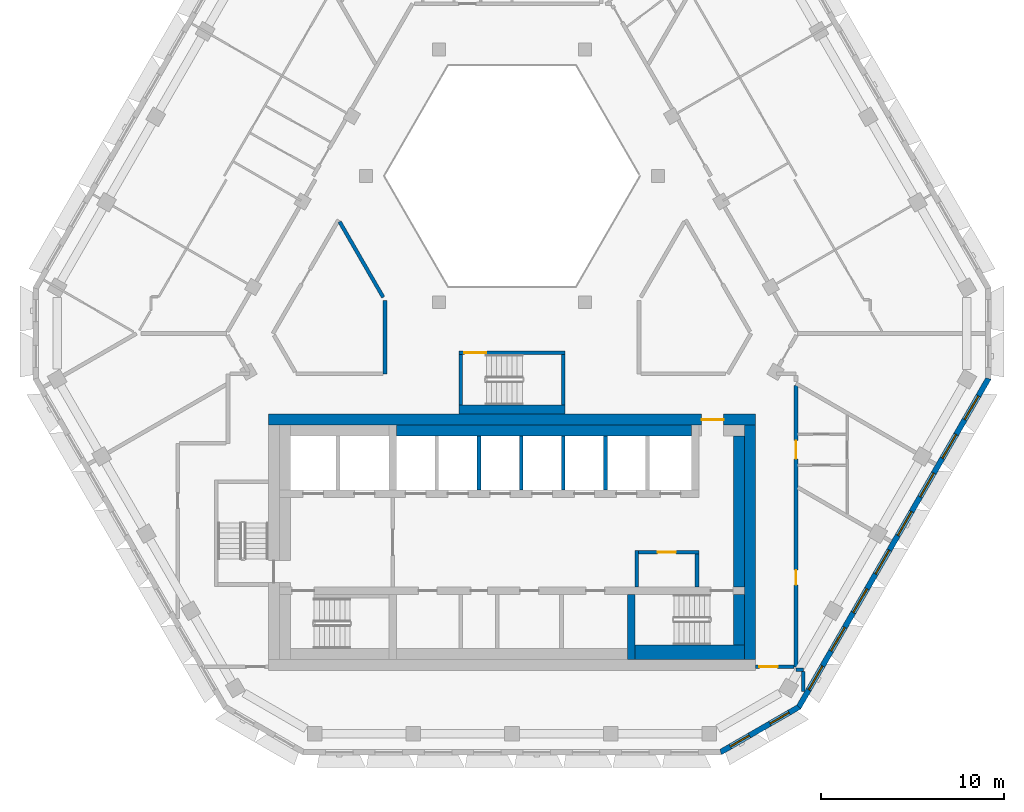
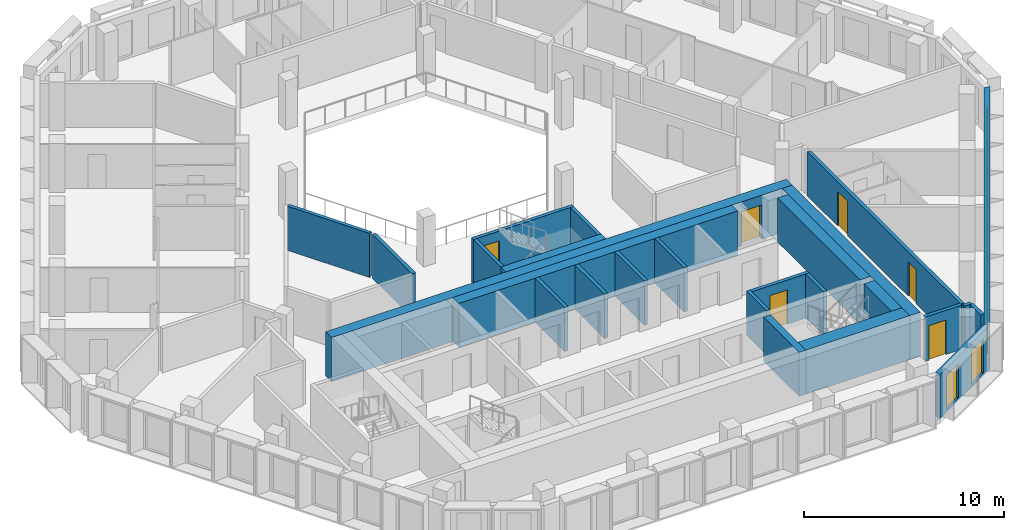
# One storey, part 5 of 17: 26 walls, 10 windows, 6 doors, 16 openings.
"""IFC4 building model written with IfcOpenShell, lengths in metres."""

import ifcopenshell
import ifcopenshell.guid

model = None  # the IFC model being written
_history = None  # IfcOwnerHistory: only IFC2X3 demands one
_inside = {}  # id of a spatial element -> (the spatial element, [elements in it])
_under = {}  # id of a project, library or spatial element -> (it, [spatial elements below it])
_declared = {}  # id of a project -> (the project, [libraries it declares])
_typed = {}  # id of a type object -> (the type object, [elements of that type])
_made_of = {}  # id of a material, layer set ... -> (it, [elements and type objects made of it])


def new_model(schema):
    """Start an empty IFC model of exactly this schema.

    Asked for "IFC4X3", IfcOpenShell would pick the latest addendum, in which some entities
    have other attributes; the version numbers below select the first issue.
    IFC2X3 requires an IfcOwnerHistory on every rooted entity: one is made here for all.
    """
    global model, _history
    if schema == "IFC4X3":
        model = ifcopenshell.file(schema_version=(4, 3, 0, 0))
    else:
        model = ifcopenshell.file(schema=schema)
    _inside.clear()
    _under.clear()
    _declared.clear()
    _typed.clear()
    _made_of.clear()
    _history = None
    if model.schema == "IFC2X3":
        org = make("IfcOrganization", Name="unknown")
        user = make(
            "IfcPersonAndOrganization",
            ThePerson=make("IfcPerson", FamilyName="unknown"),
            TheOrganization=org,
        )
        app = make(
            "IfcApplication",
            ApplicationDeveloper=org,
            Version="unknown",
            ApplicationFullName="unknown",
            ApplicationIdentifier="unknown",
        )
        _history = make(
            "IfcOwnerHistory",
            OwningUser=user,
            OwningApplication=app,
            ChangeAction="ADDED",
            CreationDate=0,
        )
    return model


def make(cls, **values):
    """One entity of the class cls with the attributes given. An attribute that is None is left unset."""
    return model.create_entity(
        cls, **{name: value for name, value in values.items() if value is not None}
    )


def rooted(cls, **values):
    """An entity with a GlobalId (a new one), such as an element, a storey or a relation."""
    return make(cls, GlobalId=ifcopenshell.guid.new(), OwnerHistory=_history, **values)


def si_unit(unit_type, name, prefix=None):
    """IfcSIUnit, for example si_unit("LENGTHUNIT", "METRE", prefix="MILLI")."""
    return make("IfcSIUnit", UnitType=unit_type, Prefix=prefix, Name=name)


def assignment(units):
    """IfcUnitAssignment: the units of a project."""
    return None if units is None else make("IfcUnitAssignment", Units=units)


def point(xyz):
    """IfcCartesianPoint."""
    return None if xyz is None else make("IfcCartesianPoint", Coordinates=xyz)


def direction(xyz):
    """IfcDirection."""
    return None if xyz is None else make("IfcDirection", DirectionRatios=xyz)


def frame(location, z_axis=None, x_axis=None):
    """IfcAxis2Placement3D, a coordinate frame: its origin and axes. An axis left out is left unset."""
    return make(
        "IfcAxis2Placement3D",
        Location=point(location),
        Axis=direction(z_axis),
        RefDirection=direction(x_axis),
    )


def frame_2d(location, x_axis=None):
    """IfcAxis2Placement2D, a coordinate frame in the plane: its origin and x axis."""
    return make(
        "IfcAxis2Placement2D", Location=point(location), RefDirection=direction(x_axis)
    )


def origin():
    """The frame at (0, 0, 0) with its axes left unset."""
    return frame((0.0, 0.0, 0.0))


def place(relative_to, where):
    """IfcLocalPlacement: puts the frame where relative to a parent placement (None: the world)."""
    return make(
        "IfcLocalPlacement", PlacementRelTo=relative_to, RelativePlacement=where
    )


def context(
    kind, dimensions, precision=None, world=None, true_north=None, identifier=None
):
    """IfcGeometricRepresentationContext, for example the 3D "Model" context."""
    return make(
        "IfcGeometricRepresentationContext",
        ContextIdentifier=identifier,
        ContextType=kind,
        CoordinateSpaceDimension=dimensions,
        Precision=precision,
        WorldCoordinateSystem=world,
        TrueNorth=true_north,
    )


def subcontext(parent, identifier, kind, view, scale=None):
    """IfcGeometricRepresentationSubContext, for example "Body" below "Model"."""
    return make(
        "IfcGeometricRepresentationSubContext",
        ContextIdentifier=identifier,
        ContextType=kind,
        ParentContext=parent,
        TargetScale=scale,
        TargetView=view,
    )


def project(units=None, contexts=None):
    """IfcProject with its units and contexts."""
    return rooted(
        "IfcProject",
        Name="project",
        RepresentationContexts=contexts,
        UnitsInContext=assignment(units),
    )


def spatial(cls, under=None, at=None, **own):
    """A site, building, storey or space (cls), placed at a placement, below another one or the project."""
    s = rooted(cls, ObjectPlacement=at, **own)
    if under is not None:
        _under.setdefault(under.id(), (under, []))[1].append(s)
    return s


def polyline(points):
    """IfcPolyline through the points."""
    return make("IfcPolyline", Points=[point(p) for p in points])


def profile(cls, at=None, kind="AREA", **sizes):
    """A parametric profile (cls). Its sizes go by their IFC names, for example OverallWidth=200.0."""
    return make(cls, ProfileType=kind, Position=at, **sizes)


def rectangle(**sizes):
    """IfcRectangleProfileDef."""
    return profile("IfcRectangleProfileDef", **sizes)


def outline(outer, holes=None, kind="AREA"):
    """IfcArbitraryClosedProfileDef: a profile drawn as a closed curve; with holes, ...WithVoids."""
    if holes is None:
        return make("IfcArbitraryClosedProfileDef", ProfileType=kind, OuterCurve=outer)
    return make(
        "IfcArbitraryProfileDefWithVoids",
        ProfileType=kind,
        OuterCurve=outer,
        InnerCurves=holes,
    )


def extrude(swept, where, along, depth):
    """IfcExtrudedAreaSolid: the profile swept, set in the frame where, extruded along a direction by depth."""
    return make(
        "IfcExtrudedAreaSolid",
        SweptArea=swept,
        Position=where,
        ExtrudedDirection=direction(along),
        Depth=depth,
    )


def shape(context_of_items, identifier, shape_type, items):
    """IfcShapeRepresentation: the items that make up one representation, for example the "Body"."""
    return make(
        "IfcShapeRepresentation",
        ContextOfItems=context_of_items,
        RepresentationIdentifier=identifier,
        RepresentationType=shape_type,
        Items=items,
    )


def material(Name=None, Category=None):
    """IfcMaterial."""
    return make("IfcMaterial", Name=Name, Category=Category)


def layer(
    of_material, thickness, ventilated=None, Name=None, Category=None, Priority=None
):
    """IfcMaterialLayer: one layer of a wall or slab, of a material (None: an air gap)."""
    return make(
        "IfcMaterialLayer",
        Material=of_material,
        LayerThickness=thickness,
        IsVentilated=ventilated,
        Name=Name,
        Category=Category,
        Priority=Priority,
    )


def layer_set(layers, Name=None):
    """IfcMaterialLayerSet."""
    return make("IfcMaterialLayerSet", MaterialLayers=layers, LayerSetName=Name)


def made_of(thing, what):
    """Note that an element or type object is made of a material, layer set ...; save() writes the relation."""
    if what is not None:
        _made_of.setdefault(what.id(), (what, []))[1].append(thing)
    return thing


def type_object(cls, material=None, **own):
    """A type object (cls), such as IfcWallType, which elements share."""
    return made_of(rooted(cls, **own), material)


def element(
    cls,
    number,
    at=None,
    inside=None,
    cuts=None,
    type_object=None,
    material=None,
    context=None,
    identifier="Body",
    shape_type=None,
    held_by="IfcProductDefinitionShape",
    body=None,
    shapes=None,
    **own,
):
    """One element of the class cls, such as IfcWall. Its Tag is "e" and its number.

    at: its placement. inside: the storey or other place that contains it. cuts: it is an
    opening in that element (IfcRelVoidsElement). A single representation is given by context,
    identifier, shape_type and body (its items); several are given by shapes. held_by: the class
    of the entity that holds the representations. save() writes the other relations.
    """
    e = rooted(cls, Tag="e%d" % number, ObjectPlacement=at, **own)
    if body is not None:
        shapes = [shape(context, identifier, shape_type, body)]
    if shapes is not None:
        e.Representation = make(held_by, Representations=shapes)
    if inside is not None:
        _inside.setdefault(inside.id(), (inside, []))[1].append(e)
    if cuts is not None:
        rooted(
            "IfcRelVoidsElement", RelatingBuildingElement=cuts, RelatedOpeningElement=e
        )
    if type_object is not None:
        _typed.setdefault(type_object.id(), (type_object, []))[1].append(e)
    return made_of(e, material)


def fill(opening, filler):
    """IfcRelFillsElement: the door or window that sits in an opening."""
    return rooted(
        "IfcRelFillsElement",
        RelatingOpeningElement=opening,
        RelatedBuildingElement=filler,
    )


def aggregate(whole, parts):
    """IfcRelAggregates: a whole, such as a stair, and the parts it consists of."""
    return rooted("IfcRelAggregates", RelatingObject=whole, RelatedObjects=parts)


def save(model, path):
    """Write the relations noted so far, then the file.

    IfcRelAggregates (storeys below a building ...), IfcRelContainedInSpatialStructure (elements
    in a storey), IfcRelDefinesByType, IfcRelAssociatesMaterial and IfcRelDeclares: one each for
    every whole, place, type object, material and project.
    """
    for whole, parts in _under.values():
        aggregate(whole, parts)
    for where, things in _inside.values():
        rooted(
            "IfcRelContainedInSpatialStructure",
            RelatedElements=things,
            RelatingStructure=where,
        )
    for kind, things in _typed.values():
        rooted("IfcRelDefinesByType", RelatedObjects=things, RelatingType=kind)
    for what, things in _made_of.values():
        rooted("IfcRelAssociatesMaterial", RelatedObjects=things, RelatingMaterial=what)
    for by, libraries in _declared.values():
        rooted("IfcRelDeclares", RelatingContext=by, RelatedDefinitions=libraries)
    model.write(path)


model = new_model("IFC4")

# Units and contexts
model_context = context("Model", 3, precision=1e-05, world=origin(), true_north=direction((0.0, 1.0)))
body_context = subcontext(model_context, "Body", "Model", "MODEL_VIEW")
ifc_project = project(units=[si_unit("LENGTHUNIT", "METRE"), si_unit("AREAUNIT", "SQUARE_METRE"), si_unit("VOLUMEUNIT", "CUBIC_METRE"), si_unit("PLANEANGLEUNIT", "RADIAN"), si_unit("MASSUNIT", "GRAM", prefix="KILO")], contexts=[model_context])

# Site, building, storey
site_placement = place(None, origin())
site = spatial("IfcSite", under=ifc_project, at=site_placement, CompositionType="ELEMENT")
building_placement = place(site_placement, origin())
building = spatial("IfcBuilding", under=site, at=building_placement, Name="Beryl Residences", CompositionType="ELEMENT")
storey_placement = place(building_placement, frame((0.0, 0.0, 166.199951171875)))
storey = spatial("IfcBuildingStorey", under=building, at=storey_placement, Name="L50", CompositionType="ELEMENT", Elevation=166.199951171875)

# Wall, openings, windows
ifc_material_1 = material(Name="Composite metal panel with mineral wool insulation")
ifc_layer_1 = layer(ifc_material_1, 0.300048828125)
ifc_layer_set_1 = layer_set([ifc_layer_1], Name="ES1 pale metal composite panel wall 300 mm")
wall_type_1 = type_object("IfcWallType", Name="ES1 pale metal composite panel wall 300 mm", PredefinedType="SOLIDWALL", material=ifc_layer_set_1)
wall_1_placement = place(storey_placement, frame((11.35595703125, -23.469970703125, 0.0), z_axis=(0.0, 0.0, 1.0), x_axis=(0.866022959057, 0.500004234368, 0.0)))
wall_1 = element("IfcWall", 1, at=wall_1_placement, inside=storey, type_object=wall_type_1, Name="ES1 external wall L50 S-SE", PredefinedType="SOLIDWALL", context=body_context, shape_type="SweptSolid", body=[
    extrude(outline(polyline([(0.0, -0.14990234375), (5.0, -0.14990234375), (4.919677734375, 0.14990234375), (0.080322265625, 0.14990234375), (0.0, -0.14990234375)])), origin(), (0.0, 0.0, 1.0), 2.699951171875),
])
opening_1_placement = place(wall_1_placement, frame((0.64990234375, 0.0, 0.14990234375)))
opening_1 = element("IfcOpeningElement", 2, at=opening_1_placement, cuts=wall_1, Name="Opening W2", PredefinedType="OPENING", context=body_context, shape_type="SweptSolid", body=[
    extrude(rectangle(XDim=1.199951171875, YDim=2.10009765625, at=frame_2d((0.60009765625, 1.050048828125))), frame((0.0, 0.159912109375, 0.0), z_axis=(0.0, -1.0, 0.0), x_axis=(1.0, 0.0, 0.0)), (0.0, 0.0, 1.0), 0.320068359375),
])
opening_2_placement = place(wall_1_placement, frame((3.14892578125, 0.0, 0.14990234375)))
opening_2 = element("IfcOpeningElement", 3, at=opening_2_placement, cuts=wall_1, Name="Opening W2", PredefinedType="OPENING", context=body_context, shape_type="SweptSolid", body=[
    extrude(rectangle(XDim=1.199951171875, YDim=2.10009765625, at=frame_2d((0.60009765625, 1.050048828125))), frame((0.0, 0.159912109375, 0.0), z_axis=(0.0, -1.0, 0.0), x_axis=(1.0, 0.0, 0.0)), (0.0, 0.0, 1.0), 0.320068359375),
])
ifc_material_2 = material(Name="Aluminium and clear glass", Category="aluminium")
window_type_1 = type_object("IfcWindowType", Name="W2 chamfer window 1200 x 2100 mm", PartitioningType="SINGLE_PANEL", PredefinedType="WINDOW", material=ifc_material_2)
window_1_placement = place(opening_1_placement, origin())
window_1 = element("IfcWindow", 4, at=window_1_placement, inside=storey, type_object=window_type_1, Name="W2 window L50 S-SE 1", OverallHeight=2.10009765625, OverallWidth=1.199951171875, PartitioningType="SINGLE_PANEL", PredefinedType="WINDOW", context=body_context, shape_type="SweptSolid", body=[
    extrude(rectangle(XDim=1.199951171875, YDim=2.10009765625, at=frame_2d((0.60009765625, 1.050048828125))), frame((0.0, 0.030029296875, 0.0), z_axis=(0.0, -1.0, 0.0), x_axis=(1.0, 0.0, 0.0)), (0.0, 0.0, 1.0), 0.06005859375),
])
fill(opening_1, window_1)
window_2_placement = place(opening_2_placement, origin())
window_2 = element("IfcWindow", 5, at=window_2_placement, inside=storey, type_object=window_type_1, Name="W2 window L50 S-SE 2", OverallHeight=2.10009765625, OverallWidth=1.199951171875, PartitioningType="SINGLE_PANEL", PredefinedType="WINDOW", context=body_context, shape_type="SweptSolid", body=[
    extrude(rectangle(XDim=1.199951171875, YDim=2.10009765625, at=frame_2d((0.60009765625, 1.050048828125))), frame((0.0, 0.030029296875, 0.0), z_axis=(0.0, -1.0, 0.0), x_axis=(1.0, 0.0, 0.0)), (0.0, 0.0, 1.0), 0.06005859375),
])
fill(opening_2, window_2)

wall_2_placement = place(storey_placement, frame((15.631103515625, -21.02490234375, 0.0), z_axis=(0.0, 0.0, 1.0), x_axis=(0.500018670445, 0.86601462413, 0.0)))
wall_2 = element("IfcWall", 6, at=wall_2_placement, inside=storey, type_object=wall_type_1, Name="ES1 external wall L50 SE", PredefinedType="SOLIDWALL", context=body_context, shape_type="SweptSolid", body=[
    extrude(outline(polyline([(0.0, -0.14990234375), (20.784912109375, -0.14990234375), (20.70458984375, 0.14990234375), (0.080322265625, 0.14990234375), (0.0, -0.14990234375)])), origin(), (0.0, 0.0, 1.0), 2.699951171875),
])
opening_3_placement = place(wall_2_placement, frame((1.1298828125, 0.0, 0.14990234375)))
opening_3 = element("IfcOpeningElement", 7, at=opening_3_placement, cuts=wall_2, Name="Opening W1", PredefinedType="OPENING", context=body_context, shape_type="SweptSolid", body=[
    extrude(rectangle(XDim=1.5, YDim=2.10009765625, at=frame_2d((0.75, 1.050048828125))), frame((0.0, 0.159912109375, 0.0), z_axis=(0.0, -1.0, 0.0), x_axis=(1.0, 0.0, 0.0)), (0.0, 0.0, 1.0), 0.320068359375),
])
opening_4_placement = place(wall_2_placement, frame((3.56201171875, 0.0, 0.14990234375)))
opening_4 = element("IfcOpeningElement", 8, at=opening_4_placement, cuts=wall_2, Name="Opening W1", PredefinedType="OPENING", context=body_context, shape_type="SweptSolid", body=[
    extrude(rectangle(XDim=1.5, YDim=2.10009765625, at=frame_2d((0.75, 1.050048828125))), frame((0.0, 0.159912109375, 0.0), z_axis=(0.0, -1.0, 0.0), x_axis=(1.0, 0.0, 0.0)), (0.0, 0.0, 1.0), 0.320068359375),
])
opening_5_placement = place(wall_2_placement, frame((5.993896484375, 0.0, 0.14990234375)))
opening_5 = element("IfcOpeningElement", 9, at=opening_5_placement, cuts=wall_2, Name="Opening W1", PredefinedType="OPENING", context=body_context, shape_type="SweptSolid", body=[
    extrude(rectangle(XDim=1.5, YDim=2.10009765625, at=frame_2d((0.75, 1.050048828125))), frame((0.0, 0.159912109375, 0.0), z_axis=(0.0, -1.0, 0.0), x_axis=(1.0, 0.0, 0.0)), (0.0, 0.0, 1.0), 0.320068359375),
])
opening_6_placement = place(wall_2_placement, frame((8.425048828125, 0.0, 0.14990234375)))
opening_6 = element("IfcOpeningElement", 10, at=opening_6_placement, cuts=wall_2, Name="Opening W1", PredefinedType="OPENING", context=body_context, shape_type="SweptSolid", body=[
    extrude(rectangle(XDim=1.5, YDim=2.10009765625, at=frame_2d((0.75, 1.050048828125))), frame((0.0, 0.159912109375, 0.0), z_axis=(0.0, -1.0, 0.0), x_axis=(1.0, 0.0, 0.0)), (0.0, 0.0, 1.0), 0.320068359375),
])
opening_7_placement = place(wall_2_placement, frame((10.85693359375, 0.0, 0.14990234375)))
opening_7 = element("IfcOpeningElement", 11, at=opening_7_placement, cuts=wall_2, Name="Opening W1", PredefinedType="OPENING", context=body_context, shape_type="SweptSolid", body=[
    extrude(rectangle(XDim=1.5, YDim=2.10009765625, at=frame_2d((0.75, 1.050048828125))), frame((0.0, 0.159912109375, 0.0), z_axis=(0.0, -1.0, 0.0), x_axis=(1.0, 0.0, 0.0)), (0.0, 0.0, 1.0), 0.320068359375),
])
opening_8_placement = place(wall_2_placement, frame((13.2890625, 0.0, 0.14990234375)))
opening_8 = element("IfcOpeningElement", 12, at=opening_8_placement, cuts=wall_2, Name="Opening W1", PredefinedType="OPENING", context=body_context, shape_type="SweptSolid", body=[
    extrude(rectangle(XDim=1.5, YDim=2.10009765625, at=frame_2d((0.75, 1.050048828125))), frame((0.0, 0.159912109375, 0.0), z_axis=(0.0, -1.0, 0.0), x_axis=(1.0, 0.0, 0.0)), (0.0, 0.0, 1.0), 0.320068359375),
])
opening_9_placement = place(wall_2_placement, frame((15.721923828125, 0.0, 0.14990234375)))
opening_9 = element("IfcOpeningElement", 13, at=opening_9_placement, cuts=wall_2, Name="Opening W1", PredefinedType="OPENING", context=body_context, shape_type="SweptSolid", body=[
    extrude(rectangle(XDim=1.5, YDim=2.10009765625, at=frame_2d((0.75, 1.050048828125))), frame((0.0, 0.159912109375, 0.0), z_axis=(0.0, -1.0, 0.0), x_axis=(1.0, 0.0, 0.0)), (0.0, 0.0, 1.0), 0.320068359375),
])
opening_10_placement = place(wall_2_placement, frame((18.154052734375, 0.0, 0.14990234375)))
opening_10 = element("IfcOpeningElement", 14, at=opening_10_placement, cuts=wall_2, Name="Opening W1", PredefinedType="OPENING", context=body_context, shape_type="SweptSolid", body=[
    extrude(rectangle(XDim=1.5, YDim=2.10009765625, at=frame_2d((0.75, 1.050048828125))), frame((0.0, 0.159912109375, 0.0), z_axis=(0.0, -1.0, 0.0), x_axis=(1.0, 0.0, 0.0)), (0.0, 0.0, 1.0), 0.320068359375),
])
ifc_material_3 = material(Name="Aluminium and clear glass", Category="aluminium")
window_type_2 = type_object("IfcWindowType", Name="W1 cell window 1500 x 2100 mm", PartitioningType="SINGLE_PANEL", PredefinedType="WINDOW", material=ifc_material_3)
window_3_placement = place(opening_3_placement, origin())
window_3 = element("IfcWindow", 15, at=window_3_placement, inside=storey, type_object=window_type_2, Name="W1 window L50 SE 1", OverallHeight=2.10009765625, OverallWidth=1.5, PartitioningType="SINGLE_PANEL", PredefinedType="WINDOW", context=body_context, shape_type="SweptSolid", body=[
    extrude(rectangle(XDim=1.5, YDim=2.10009765625, at=frame_2d((0.75, 1.050048828125))), frame((0.0, 0.030029296875, 0.0), z_axis=(0.0, -1.0, 0.0), x_axis=(1.0, 0.0, 0.0)), (0.0, 0.0, 1.0), 0.06005859375),
])
fill(opening_3, window_3)
window_4_placement = place(opening_4_placement, origin())
window_4 = element("IfcWindow", 16, at=window_4_placement, inside=storey, type_object=window_type_2, Name="W1 window L50 SE 2", OverallHeight=2.10009765625, OverallWidth=1.5, PartitioningType="SINGLE_PANEL", PredefinedType="WINDOW", context=body_context, shape_type="SweptSolid", body=[
    extrude(rectangle(XDim=1.5, YDim=2.10009765625, at=frame_2d((0.75, 1.050048828125))), frame((0.0, 0.030029296875, 0.0), z_axis=(0.0, -1.0, 0.0), x_axis=(1.0, 0.0, 0.0)), (0.0, 0.0, 1.0), 0.06005859375),
])
fill(opening_4, window_4)
window_5_placement = place(opening_5_placement, origin())
window_5 = element("IfcWindow", 17, at=window_5_placement, inside=storey, type_object=window_type_2, Name="W1 window L50 SE 3", OverallHeight=2.10009765625, OverallWidth=1.5, PartitioningType="SINGLE_PANEL", PredefinedType="WINDOW", context=body_context, shape_type="SweptSolid", body=[
    extrude(rectangle(XDim=1.5, YDim=2.10009765625, at=frame_2d((0.75, 1.050048828125))), frame((0.0, 0.030029296875, 0.0), z_axis=(0.0, -1.0, 0.0), x_axis=(1.0, 0.0, 0.0)), (0.0, 0.0, 1.0), 0.06005859375),
])
fill(opening_5, window_5)
window_6_placement = place(opening_6_placement, origin())
window_6 = element("IfcWindow", 18, at=window_6_placement, inside=storey, type_object=window_type_2, Name="W1 window L50 SE 4", OverallHeight=2.10009765625, OverallWidth=1.5, PartitioningType="SINGLE_PANEL", PredefinedType="WINDOW", context=body_context, shape_type="SweptSolid", body=[
    extrude(rectangle(XDim=1.5, YDim=2.10009765625, at=frame_2d((0.75, 1.050048828125))), frame((0.0, 0.030029296875, 0.0), z_axis=(0.0, -1.0, 0.0), x_axis=(1.0, 0.0, 0.0)), (0.0, 0.0, 1.0), 0.06005859375),
])
fill(opening_6, window_6)
window_7_placement = place(opening_7_placement, origin())
window_7 = element("IfcWindow", 19, at=window_7_placement, inside=storey, type_object=window_type_2, Name="W1 window L50 SE 5", OverallHeight=2.10009765625, OverallWidth=1.5, PartitioningType="SINGLE_PANEL", PredefinedType="WINDOW", context=body_context, shape_type="SweptSolid", body=[
    extrude(rectangle(XDim=1.5, YDim=2.10009765625, at=frame_2d((0.75, 1.050048828125))), frame((0.0, 0.030029296875, 0.0), z_axis=(0.0, -1.0, 0.0), x_axis=(1.0, 0.0, 0.0)), (0.0, 0.0, 1.0), 0.06005859375),
])
fill(opening_7, window_7)
window_8_placement = place(opening_8_placement, origin())
window_8 = element("IfcWindow", 20, at=window_8_placement, inside=storey, type_object=window_type_2, Name="W1 window L50 SE 6", OverallHeight=2.10009765625, OverallWidth=1.5, PartitioningType="SINGLE_PANEL", PredefinedType="WINDOW", context=body_context, shape_type="SweptSolid", body=[
    extrude(rectangle(XDim=1.5, YDim=2.10009765625, at=frame_2d((0.75, 1.050048828125))), frame((0.0, 0.030029296875, 0.0), z_axis=(0.0, -1.0, 0.0), x_axis=(1.0, 0.0, 0.0)), (0.0, 0.0, 1.0), 0.06005859375),
])
fill(opening_8, window_8)
window_9_placement = place(opening_9_placement, origin())
window_9 = element("IfcWindow", 21, at=window_9_placement, inside=storey, type_object=window_type_2, Name="W1 window L50 SE 7", OverallHeight=2.10009765625, OverallWidth=1.5, PartitioningType="SINGLE_PANEL", PredefinedType="WINDOW", context=body_context, shape_type="SweptSolid", body=[
    extrude(rectangle(XDim=1.5, YDim=2.10009765625, at=frame_2d((0.75, 1.050048828125))), frame((0.0, 0.030029296875, 0.0), z_axis=(0.0, -1.0, 0.0), x_axis=(1.0, 0.0, 0.0)), (0.0, 0.0, 1.0), 0.06005859375),
])
fill(opening_9, window_9)
window_10_placement = place(opening_10_placement, origin())
window_10 = element("IfcWindow", 22, at=window_10_placement, inside=storey, type_object=window_type_2, Name="W1 window L50 SE 8", OverallHeight=2.10009765625, OverallWidth=1.5, PartitioningType="SINGLE_PANEL", PredefinedType="WINDOW", context=body_context, shape_type="SweptSolid", body=[
    extrude(rectangle(XDim=1.5, YDim=2.10009765625, at=frame_2d((0.75, 1.050048828125))), frame((0.0, 0.030029296875, 0.0), z_axis=(0.0, -1.0, 0.0), x_axis=(1.0, 0.0, 0.0)), (0.0, 0.0, 1.0), 0.06005859375),
])
fill(opening_10, window_10)

# Wall
ifc_material_4 = material(Name="Concrete masonry", Category="masonry")
ifc_layer_2 = layer(ifc_material_4, 0.199951171875)
ifc_layer_set_2 = layer_set([ifc_layer_2], Name="PT13 lobby wall 200 mm")
wall_type_2 = type_object("IfcWallType", Name="PT13 lobby wall 200 mm", PredefinedType="PARTITIONING", material=ifc_layer_set_2)
wall_3_placement = place(storey_placement, frame((6.800048828125, -14.449951171875, 0.0), z_axis=(0.0, 0.0, 1.0), x_axis=(0.0, 1.0, 0.0)))
element("IfcWall", 23, at=wall_3_placement, inside=storey, type_object=wall_type_2, Name="Lobby wall 24", PredefinedType="PARTITIONING", context=body_context, shape_type="SweptSolid", body=[
    extrude(rectangle(XDim=2.0, YDim=0.199951171875, at=frame_2d((1.0, 0.0))), origin(), (0.0, 0.0, 1.0), 2.699951171875),
])

# Wall, opening, door
wall_4_placement = place(storey_placement, frame((6.89990234375, -12.550048828125, 0.0), z_axis=(0.0, 0.0, 1.0), x_axis=(1.0, 0.0, 0.0)))
wall_4 = element("IfcWall", 24, at=wall_4_placement, inside=storey, type_object=wall_type_2, Name="Lobby wall 25", PredefinedType="PARTITIONING", context=body_context, shape_type="SweptSolid", body=[
    extrude(rectangle(XDim=3.300048828125, YDim=0.199951171875, at=frame_2d((1.64990234375, 0.0))), origin(), (0.0, 0.0, 1.0), 2.699951171875),
])
opening_11_placement = place(wall_4_placement, frame((2.050048828125, 0.0, 0.0), z_axis=(0.0, 0.0, 1.0), x_axis=(-1.0, 0.0, 0.0)))
opening_11 = element("IfcOpeningElement", 25, at=opening_11_placement, cuts=wall_4, Name="Opening CD-D-A1", PredefinedType="OPENING", context=body_context, shape_type="SweptSolid", body=[
    extrude(rectangle(XDim=1.0, YDim=2.10009765625, at=frame_2d((0.5, 1.050048828125))), frame((0.0, 0.10986328125, 0.0), z_axis=(0.0, -1.0, 0.0), x_axis=(1.0, 0.0, 0.0)), (0.0, 0.0, 1.0), 0.219970703125),
])
ifc_material_5 = material(Name="Steel door leaf in steel frame", Category="steel")
door_type_1 = type_object("IfcDoorType", Name="D18 service room door 1000 x 2100 mm", OperationType="SINGLE_SWING_LEFT", PredefinedType="DOOR", material=ifc_material_5)
door_1_placement = place(opening_11_placement, origin())
door_1 = element("IfcDoor", 26, at=door_1_placement, inside=storey, type_object=door_type_1, Name="Door CD-D-A1 L50 001", OperationType="SINGLE_SWING_RIGHT", OverallHeight=2.10009765625, OverallWidth=1.0, PredefinedType="DOOR", context=body_context, shape_type="SweptSolid", body=[
    extrude(rectangle(XDim=1.0, YDim=2.10009765625, at=frame_2d((0.5, 1.050048828125))), frame((0.0, 0.02490234375, 0.0), z_axis=(0.0, -1.0, 0.0), x_axis=(1.0, 0.0, 0.0)), (0.0, 0.0, 1.0), 0.050048828125),
])
fill(opening_11, door_1)

# Walls
wall_5_placement = place(storey_placement, frame((10.10009765625, -14.449951171875, 0.0), z_axis=(0.0, 0.0, 1.0), x_axis=(0.0, 1.0, 0.0)))
element("IfcWall", 27, at=wall_5_placement, inside=storey, type_object=wall_type_2, Name="Lobby wall 27", PredefinedType="PARTITIONING", context=body_context, shape_type="SweptSolid", body=[
    extrude(rectangle(XDim=1.800048828125, YDim=0.199951171875, at=frame_2d((0.89990234375, 0.0))), origin(), (0.0, 0.0, 1.0), 2.699951171875),
])
ifc_material_6 = material(Name="Concrete masonry", Category="masonry")
ifc_layer_3 = layer(ifc_material_6, 0.60009765625)
ifc_layer_set_3 = layer_set([ifc_layer_3], Name="PT13-600 lobby wall 600 mm")
wall_type_3 = type_object("IfcWallType", Name="PT13-600 lobby wall 600 mm", PredefinedType="PARTITIONING", material=ifc_layer_set_3)
wall_6_placement = place(storey_placement, frame((12.39990234375, -14.449951171875, 0.0), z_axis=(0.0, 0.0, 1.0), x_axis=(0.0, 1.0, 0.0)))
element("IfcWall", 28, at=wall_6_placement, inside=storey, type_object=wall_type_3, Name="Lobby wall 31", PredefinedType="PARTITIONING", context=body_context, shape_type="SweptSolid", body=[
    extrude(rectangle(XDim=8.25, YDim=0.60009765625, at=frame_2d((4.125, 0.0))), origin(), (0.0, 0.0, 1.0), 2.699951171875),
])
ifc_material_7 = material(Name="Acoustic double stud gypsum board wall")
ifc_layer_4 = layer(ifc_material_7, 0.199951171875)
ifc_layer_set_4 = layer_set([ifc_layer_4], Name="PT3 party wall 200 mm acoustic double stud")
wall_type_4 = type_object("IfcWallType", Name="PT3 party wall 200 mm acoustic double stud", PredefinedType="PARTITIONING", material=ifc_layer_set_4)
wall_7_placement = place(storey_placement, frame((15.89990234375, -19.051025390625, 0.0), z_axis=(0.0, 0.0, 1.0), x_axis=(0.0, -1.0, 0.0)))
element("IfcWall", 29, at=wall_7_placement, inside=storey, type_object=wall_type_4, Name="Wall PT3 L50 003", PredefinedType="PARTITIONING", context=body_context, shape_type="SweptSolid", body=[
    extrude(rectangle(XDim=1.0869140625, YDim=0.199951171875, at=frame_2d((0.54345703125, 0.0))), origin(), (0.0, 0.0, 1.0), 2.699951171875),
])
wall_8_placement = place(storey_placement, frame((15.4990234375, -18.949951171875, 0.0), z_axis=(0.0, 0.0, 1.0), x_axis=(1.0, 0.0, 0.0)))
element("IfcWall", 30, at=wall_8_placement, inside=storey, type_object=wall_type_4, Name="Wall PT3 L50 015", PredefinedType="PARTITIONING", context=body_context, shape_type="SweptSolid", body=[
    extrude(rectangle(XDim=0.39990234375, YDim=0.199951171875, at=frame_2d((0.199951171875, 0.0))), origin(), (0.0, 0.0, 1.0), 2.699951171875),
])
ifc_material_8 = material(Name="Double stud gypsum board wall")
ifc_layer_5 = layer(ifc_material_8, 0.199951171875)
ifc_layer_set_5 = layer_set([ifc_layer_5], Name="PT4 corridor wall 200 mm double stud")
wall_type_5 = type_object("IfcWallType", Name="PT4 corridor wall 200 mm double stud", PredefinedType="PARTITIONING", material=ifc_layer_set_5)
wall_9_placement = place(storey_placement, frame((-9.410888671875, 5.5, 0.0), z_axis=(0.0, 0.0, 1.0), x_axis=(0.500018099276, -0.86601495391, 0.0)))
element("IfcWall", 31, at=wall_9_placement, inside=storey, type_object=wall_type_5, Name="Wall PT4 L50 001", PredefinedType="PARTITIONING", context=body_context, shape_type="SweptSolid", body=[
    extrude(rectangle(XDim=4.765380859375, YDim=0.199951171875, at=frame_2d((2.3828125, 0.0))), origin(), (0.0, 0.0, 1.0), 2.699951171875),
])

# Wall, opening, door
wall_10_placement = place(storey_placement, frame((13.300048828125, -18.800048828125, 0.0), z_axis=(0.0, 0.0, 1.0), x_axis=(1.0, 0.0, 0.0)))
wall_10 = element("IfcWall", 32, at=wall_10_placement, inside=storey, type_object=wall_type_5, Name="Wall PT4 L50 009", PredefinedType="PARTITIONING", context=body_context, shape_type="SweptSolid", body=[
    extrude(rectangle(XDim=2.098876953125, YDim=0.199951171875, at=frame_2d((1.04931640625, 0.0))), origin(), (0.0, 0.0, 1.0), 2.699951171875),
])
opening_12_placement = place(wall_10_placement, frame((0.199951171875, 0.0, 0.0)))
opening_12 = element("IfcOpeningElement", 33, at=opening_12_placement, cuts=wall_10, Name="Opening D1440", PredefinedType="OPENING", context=body_context, shape_type="SweptSolid", body=[
    extrude(rectangle(XDim=1.0, YDim=2.10009765625, at=frame_2d((0.5, 1.050048828125))), frame((0.0, 0.10986328125, 0.0), z_axis=(0.0, -1.0, 0.0), x_axis=(1.0, 0.0, 0.0)), (0.0, 0.0, 1.0), 0.219970703125),
])
ifc_material_9 = material(Name="Timber door leaf", Category="wood")
door_type_2 = type_object("IfcDoorType", Name="D1 flat entrance door 1000 x 2100 mm", OperationType="SINGLE_SWING_LEFT", PredefinedType="DOOR", material=ifc_material_9)
door_2_placement = place(opening_12_placement, origin())
door_2 = element("IfcDoor", 34, at=door_2_placement, inside=storey, type_object=door_type_2, Name="Door D1440 L50 001", OperationType="SINGLE_SWING_LEFT", OverallHeight=2.10009765625, OverallWidth=1.0, PredefinedType="DOOR", context=body_context, shape_type="SweptSolid", body=[
    extrude(rectangle(XDim=1.0, YDim=2.10009765625, at=frame_2d((0.5, 1.050048828125))), frame((0.0, 0.02490234375, 0.0), z_axis=(0.0, -1.0, 0.0), x_axis=(1.0, 0.0, 0.0)), (0.0, 0.0, 1.0), 0.050048828125),
])
fill(opening_12, door_2)

# Wall, openings, doors
wall_11_placement = place(storey_placement, frame((15.5, -18.799072265625, 0.0), z_axis=(0.0, 0.0, 1.0), x_axis=(0.0, 1.0, 0.0)))
wall_11 = element("IfcWall", 35, at=wall_11_placement, inside=storey, type_object=wall_type_5, Name="Wall PT4 L50 023", PredefinedType="PARTITIONING", context=body_context, shape_type="SweptSolid", body=[
    extrude(rectangle(XDim=15.34912109375, YDim=0.199951171875, at=frame_2d((7.674560546875, 0.0))), origin(), (0.0, 0.0, 1.0), 2.699951171875),
])
opening_13_placement = place(wall_11_placement, frame((4.47705078125, 0.0, 0.0)))
opening_13 = element("IfcOpeningElement", 36, at=opening_13_placement, cuts=wall_11, Name="Opening D1420", PredefinedType="OPENING", context=body_context, shape_type="SweptSolid", body=[
    extrude(rectangle(XDim=0.800048828125, YDim=2.10009765625, at=frame_2d((0.39990234375, 1.050048828125))), frame((0.0, 0.10986328125, 0.0), z_axis=(0.0, -1.0, 0.0), x_axis=(1.0, 0.0, 0.0)), (0.0, 0.0, 1.0), 0.219970703125),
])
opening_14_placement = place(wall_11_placement, frame((11.347900390625, 0.0, 0.0)))
opening_14 = element("IfcOpeningElement", 37, at=opening_14_placement, cuts=wall_11, Name="Opening D1421", PredefinedType="OPENING", context=body_context, shape_type="SweptSolid", body=[
    extrude(rectangle(XDim=1.0, YDim=2.10009765625, at=frame_2d((0.5, 1.050048828125))), frame((0.0, 0.10986328125, 0.0), z_axis=(0.0, -1.0, 0.0), x_axis=(1.0, 0.0, 0.0)), (0.0, 0.0, 1.0), 0.219970703125),
])
door_3_placement = place(opening_14_placement, origin())
door_3 = element("IfcDoor", 38, at=door_3_placement, inside=storey, type_object=door_type_2, Name="Door D1421 L50 001", OperationType="SINGLE_SWING_LEFT", OverallHeight=2.10009765625, OverallWidth=1.0, PredefinedType="DOOR", context=body_context, shape_type="SweptSolid", body=[
    extrude(rectangle(XDim=1.0, YDim=2.10009765625, at=frame_2d((0.5, 1.050048828125))), frame((0.0, 0.02490234375, 0.0), z_axis=(0.0, -1.0, 0.0), x_axis=(1.0, 0.0, 0.0)), (0.0, 0.0, 1.0), 0.050048828125),
])
fill(opening_14, door_3)
ifc_material_10 = material(Name="Timber door leaf", Category="wood")
door_type_3 = type_object("IfcDoorType", Name="D3 bathroom door 800 x 2100 mm", OperationType="SINGLE_SWING_LEFT", PredefinedType="DOOR", material=ifc_material_10)
door_4_placement = place(opening_13_placement, origin())
door_4 = element("IfcDoor", 39, at=door_4_placement, inside=storey, type_object=door_type_3, Name="Door D1420 L50 001", OperationType="SINGLE_SWING_RIGHT", OverallHeight=2.10009765625, OverallWidth=0.800048828125, PredefinedType="DOOR", context=body_context, shape_type="SweptSolid", body=[
    extrude(rectangle(XDim=0.800048828125, YDim=2.10009765625, at=frame_2d((0.39990234375, 1.050048828125))), frame((0.0, 0.02490234375, 0.0), z_axis=(0.0, -1.0, 0.0), x_axis=(1.0, 0.0, 0.0)), (0.0, 0.0, 1.0), 0.050048828125),
])
fill(opening_13, door_4)

# Wall
wall_12_placement = place(storey_placement, frame((-6.927978515625, -2.800048828125, 0.0), z_axis=(0.0, 0.0, 1.0), x_axis=(0.0, 1.0, 0.0)))
element("IfcWall", 40, at=wall_12_placement, inside=storey, type_object=wall_type_5, Name="Wall PT4 L50 024", PredefinedType="PARTITIONING", context=body_context, shape_type="SweptSolid", body=[
    extrude(rectangle(XDim=4.0, YDim=0.199951171875, at=frame_2d((2.0, 0.0))), origin(), (0.0, 0.0, 1.0), 2.699951171875),
])

# Wall, opening, door
ifc_material_11 = material(Name="Concrete C40/50", Category="concrete")
ifc_layer_6 = layer(ifc_material_11, 0.199951171875)
ifc_layer_set_6 = layer_set([ifc_layer_6], Name="PT5 stair enclosure wall 200 mm reinforced concrete C40/50")
wall_type_6 = type_object("IfcWallType", Name="PT5 stair enclosure wall 200 mm reinforced concrete C40/50", PredefinedType="SOLIDWALL", material=ifc_layer_set_6)
wall_13_placement = place(storey_placement, frame((-2.89990234375, -1.64990234375, 0.0), z_axis=(0.0, 0.0, 1.0), x_axis=(1.0, 0.0, 0.0)))
wall_13 = element("IfcWall", 41, at=wall_13_placement, inside=storey, type_object=wall_type_6, Name="Wall PT5 L50 001", PredefinedType="SOLIDWALL", context=body_context, shape_type="SweptSolid", body=[
    extrude(rectangle(XDim=5.7998046875, YDim=0.199951171875, at=frame_2d((2.89990234375, 0.0))), origin(), (0.0, 0.0, 1.0), 2.699951171875),
])
opening_15_placement = place(wall_13_placement, frame((0.300048828125, 0.0, 0.0)))
opening_15 = element("IfcOpeningElement", 42, at=opening_15_placement, cuts=wall_13, Name="Opening DS04", PredefinedType="OPENING", context=body_context, shape_type="SweptSolid", body=[
    extrude(rectangle(XDim=1.199951171875, YDim=2.10009765625, at=frame_2d((0.60009765625, 1.050048828125))), frame((0.0, 0.10986328125, 0.0), z_axis=(0.0, -1.0, 0.0), x_axis=(1.0, 0.0, 0.0)), (0.0, 0.0, 1.0), 0.219970703125),
])
ifc_material_12 = material(Name="Steel door leaf in steel frame", Category="steel")
door_type_4 = type_object("IfcDoorType", Name="D4 stair door 1200 x 2100 mm", OperationType="SINGLE_SWING_LEFT", PredefinedType="DOOR", material=ifc_material_12)
door_5_placement = place(opening_15_placement, origin())
door_5 = element("IfcDoor", 43, at=door_5_placement, inside=storey, type_object=door_type_4, Name="Door DS04 L50 001", OperationType="SINGLE_SWING_LEFT", OverallHeight=2.10009765625, OverallWidth=1.199951171875, PredefinedType="DOOR", context=body_context, shape_type="SweptSolid", body=[
    extrude(rectangle(XDim=1.199951171875, YDim=2.10009765625, at=frame_2d((0.60009765625, 1.050048828125))), frame((0.0, 0.02490234375, 0.0), z_axis=(0.0, -1.0, 0.0), x_axis=(1.0, 0.0, 0.0)), (0.0, 0.0, 1.0), 0.050048828125),
])
fill(opening_15, door_5)

# Walls
for number, where, z_axis, x_axis, name in (
    (44, (-2.800048828125, -4.5, 0.0), (0.0, 0.0, 1.0), (0.0, 1.0, 0.0), "Wall PT5 L50 002"),
    (45, (2.800048828125, -4.5, 0.0), (0.0, 0.0, 1.0), (0.0, 1.0, 0.0), "Wall PT5 L50 003"),
):
    element("IfcWall", number, at=place(storey_placement, frame(where, z_axis=z_axis, x_axis=x_axis)), inside=storey, type_object=wall_type_6, Name=name, PredefinedType="SOLIDWALL", context=body_context, shape_type="SweptSolid", body=[
        extrude(rectangle(XDim=2.75, YDim=0.199951171875, at=frame_2d((1.375, 0.0))), origin(), (0.0, 0.0, 1.0), 2.699951171875),
    ])
ifc_material_13 = material(Name="Concrete C40/50", Category="concrete")
ifc_layer_7 = layer(ifc_material_13, 0.5)
ifc_layer_set_7 = layer_set([ifc_layer_7], Name="PT5-500 stair enclosure wall 500 mm")
wall_type_7 = type_object("IfcWallType", Name="PT5-500 stair enclosure wall 500 mm", PredefinedType="SOLIDWALL", material=ifc_layer_set_7)
wall_14_placement = place(storey_placement, frame((-2.89990234375, -4.75, 0.0), z_axis=(0.0, 0.0, 1.0), x_axis=(1.0, 0.0, 0.0)))
element("IfcWall", 46, at=wall_14_placement, inside=storey, type_object=wall_type_7, Name="Wall PT5-500 L50 001", PredefinedType="SOLIDWALL", context=body_context, shape_type="SweptSolid", body=[
    extrude(rectangle(XDim=5.7998046875, YDim=0.5, at=frame_2d((2.89990234375, 0.0))), origin(), (0.0, 0.0, 1.0), 2.699951171875),
])
ifc_material_14 = material(Name="Concrete C40/50", Category="concrete")
ifc_layer_8 = layer(ifc_material_14, 0.60009765625)
ifc_layer_set_8 = layer_set([ifc_layer_8], Name="PT5-600 stair enclosure wall 600 mm")
wall_type_8 = type_object("IfcWallType", Name="PT5-600 stair enclosure wall 600 mm", PredefinedType="SOLIDWALL", material=ifc_layer_set_8)
wall_15_placement = place(storey_placement, frame((12.39990234375, -17.60009765625, 0.0), z_axis=(0.0, 0.0, 1.0), x_axis=(0.0, 1.0, 0.0)))
element("IfcWall", 47, at=wall_15_placement, inside=storey, type_object=wall_type_8, Name="Stair wall 30", PredefinedType="SOLIDWALL", context=body_context, shape_type="SweptSolid", body=[
    extrude(rectangle(XDim=2.75, YDim=0.60009765625, at=frame_2d((1.375, 0.0))), origin(), (0.0, 0.0, 1.0), 2.699951171875),
])
ifc_material_15 = material(Name="Concrete C40/50", Category="concrete")
ifc_layer_9 = layer(ifc_material_15, 0.800048828125)
ifc_layer_set_9 = layer_set([ifc_layer_9], Name="PT5-800 stair enclosure wall 800 mm")
wall_type_9 = type_object("IfcWallType", Name="PT5-800 stair enclosure wall 800 mm", PredefinedType="SOLIDWALL", material=ifc_layer_set_9)
wall_16_placement = place(storey_placement, frame((6.699951171875, -18.0, 0.0), z_axis=(0.0, 0.0, 1.0), x_axis=(1.0, 0.0, 0.0)))
element("IfcWall", 48, at=wall_16_placement, inside=storey, type_object=wall_type_9, Name="Stair wall 23", PredefinedType="SOLIDWALL", context=body_context, shape_type="SweptSolid", body=[
    extrude(rectangle(XDim=6.0, YDim=0.800048828125, at=frame_2d((3.0, 0.0))), origin(), (0.0, 0.0, 1.0), 2.699951171875),
])
ifc_material_16 = material(Name="Concrete C40/50", Category="concrete")
ifc_layer_10 = layer(ifc_material_16, 0.199951171875)
ifc_layer_set_10 = layer_set([ifc_layer_10], Name="PT6 lift shaft wall 200 mm reinforced concrete C40/50")
wall_type_10 = type_object("IfcWallType", Name="PT6 lift shaft wall 200 mm reinforced concrete C40/50", PredefinedType="SOLIDWALL", material=ifc_layer_set_10)
for number, where, z_axis, x_axis, name in (
    (49, (-1.800048828125, -9.14990234375, 0.0), (0.0, 0.0, 1.0), (0.0, 1.0, 0.0), "Lift shaft wall 17"),
    (50, (0.5, -9.14990234375, 0.0), (0.0, 0.0, 1.0), (0.0, 1.0, 0.0), "Lift shaft wall 19"),
    (51, (2.800048828125, -9.14990234375, 0.0), (0.0, 0.0, 1.0), (0.0, 1.0, 0.0), "Lift shaft wall 21"),
    (52, (5.10009765625, -9.14990234375, 0.0), (0.0, 0.0, 1.0), (0.0, 1.0, 0.0), "Lift shaft wall 22"),
):
    element("IfcWall", number, at=place(storey_placement, frame(where, z_axis=z_axis, x_axis=x_axis)), inside=storey, type_object=wall_type_10, Name=name, PredefinedType="SOLIDWALL", context=body_context, shape_type="SweptSolid", body=[
        extrude(rectangle(XDim=2.949951171875, YDim=0.199951171875, at=frame_2d((1.47509765625, 0.0))), origin(), (0.0, 0.0, 1.0), 2.699951171875),
    ])
ifc_material_17 = material(Name="Concrete C40/50", Category="concrete")
ifc_layer_11 = layer(ifc_material_17, 0.60009765625)
ifc_layer_set_11 = layer_set([ifc_layer_11], Name="PT6-600 lift shaft wall 600 mm")
wall_type_11 = type_object("IfcWallType", Name="PT6-600 lift shaft wall 600 mm", PredefinedType="SOLIDWALL", material=ifc_layer_set_11)
wall_17_placement = place(storey_placement, frame((-6.300048828125, -5.89990234375, 0.0), z_axis=(0.0, 0.0, 1.0), x_axis=(1.0, 0.0, 0.0)))
element("IfcWall", 53, at=wall_17_placement, inside=storey, type_object=wall_type_11, Name="Lift shaft wall 14", PredefinedType="SOLIDWALL", context=body_context, shape_type="SweptSolid", body=[
    extrude(rectangle(XDim=16.10009765625, YDim=0.60009765625, at=frame_2d((8.050048828125, 0.0))), origin(), (0.0, 0.0, 1.0), 2.699951171875),
])

# Wall, opening, door
ifc_material_18 = material(Name="Concrete C50/60", Category="concrete")
ifc_layer_12 = layer(ifc_material_18, 0.60009765625)
ifc_layer_set_12 = layer_set([ifc_layer_12], Name="SW4 core outer wall 600 mm C50/60")
wall_type_12 = type_object("IfcWallType", Name="SW4 core outer wall 600 mm C50/60", PredefinedType="SHEAR", material=ifc_layer_set_12)
wall_18_placement = place(storey_placement, frame((-13.300048828125, -5.300048828125, 0.0), z_axis=(0.0, 0.0, 1.0), x_axis=(1.0, 0.0, 0.0)))
wall_18 = element("IfcWall", 54, at=wall_18_placement, inside=storey, type_object=wall_type_12, Name="Core wall N L50", PredefinedType="SHEAR", context=body_context, shape_type="SweptSolid", body=[
    extrude(rectangle(XDim=26.60009765625, YDim=0.60009765625, at=frame_2d((13.300048828125, 0.0))), origin(), (0.0, 0.0, 1.0), 2.699951171875),
])
opening_16_placement = place(wall_18_placement, frame((23.64990234375, 0.0, 0.0)))
opening_16 = element("IfcOpeningElement", 55, at=opening_16_placement, cuts=wall_18, Name="Opening FD-NORTH", PredefinedType="OPENING", context=body_context, shape_type="SweptSolid", body=[
    extrude(rectangle(XDim=1.199951171875, YDim=2.10009765625, at=frame_2d((0.60009765625, 1.050048828125))), frame((0.0, 0.31005859375, 0.0), z_axis=(0.0, -1.0, 0.0), x_axis=(1.0, 0.0, 0.0)), (0.0, 0.0, 1.0), 0.6201171875),
])
ifc_material_19 = material(Name="Steel door leaf in steel frame", Category="steel")
door_type_5 = type_object("IfcDoorType", Name="D22 lobby door 1200 x 2100 mm", OperationType="DOUBLE_DOOR_SINGLE_SWING", PredefinedType="DOOR", material=ifc_material_19)
door_6_placement = place(opening_16_placement, origin())
door_6 = element("IfcDoor", 56, at=door_6_placement, inside=storey, type_object=door_type_5, Name="Door FD-NORTH L50 001", OperationType="DOUBLE_DOOR_SINGLE_SWING", OverallHeight=2.10009765625, OverallWidth=1.199951171875, PredefinedType="DOOR", context=body_context, shape_type="SweptSolid", body=[
    extrude(rectangle(XDim=1.199951171875, YDim=2.10009765625, at=frame_2d((0.60009765625, 1.050048828125))), frame((0.0, 0.02490234375, 0.0), z_axis=(0.0, -1.0, 0.0), x_axis=(1.0, 0.0, 0.0)), (0.0, 0.0, 1.0), 0.050048828125),
])
fill(opening_16, door_6)

# Walls
wall_19_placement = place(storey_placement, frame((13.0, -18.39990234375, 0.0), z_axis=(0.0, 0.0, 1.0), x_axis=(0.0, 1.0, 0.0)))
element("IfcWall", 57, at=wall_19_placement, inside=storey, type_object=wall_type_12, Name="Core wall E L50", PredefinedType="SHEAR", context=body_context, shape_type="SweptSolid", body=[
    extrude(rectangle(XDim=12.7998046875, YDim=0.60009765625, at=frame_2d((6.39990234375, 0.0))), origin(), (0.0, 0.0, 1.0), 2.699951171875),
])
ifc_material_20 = material(Name="Concrete C50/60", Category="concrete")
ifc_layer_13 = layer(ifc_material_20, 0.39990234375)
ifc_layer_set_13 = layer_set([ifc_layer_13], Name="SW9 core internal wall 400 mm C50/60")
wall_type_13 = type_object("IfcWallType", Name="SW9 core internal wall 400 mm C50/60", PredefinedType="SHEAR", material=ifc_layer_set_13)
wall_20_placement = place(storey_placement, frame((6.5, -18.39990234375, 0.0), z_axis=(0.0, 0.0, 1.0), x_axis=(0.0, 1.0, 0.0)))
element("IfcWall", 58, at=wall_20_placement, inside=storey, type_object=wall_type_13, Name="Core wall XS2 L50", PredefinedType="SHEAR", context=body_context, shape_type="SweptSolid", body=[
    extrude(rectangle(XDim=3.5498046875, YDim=0.39990234375, at=frame_2d((1.77490234375, 0.0))), origin(), (0.0, 0.0, 1.0), 2.699951171875),
])

save(model, "model.ifc")
